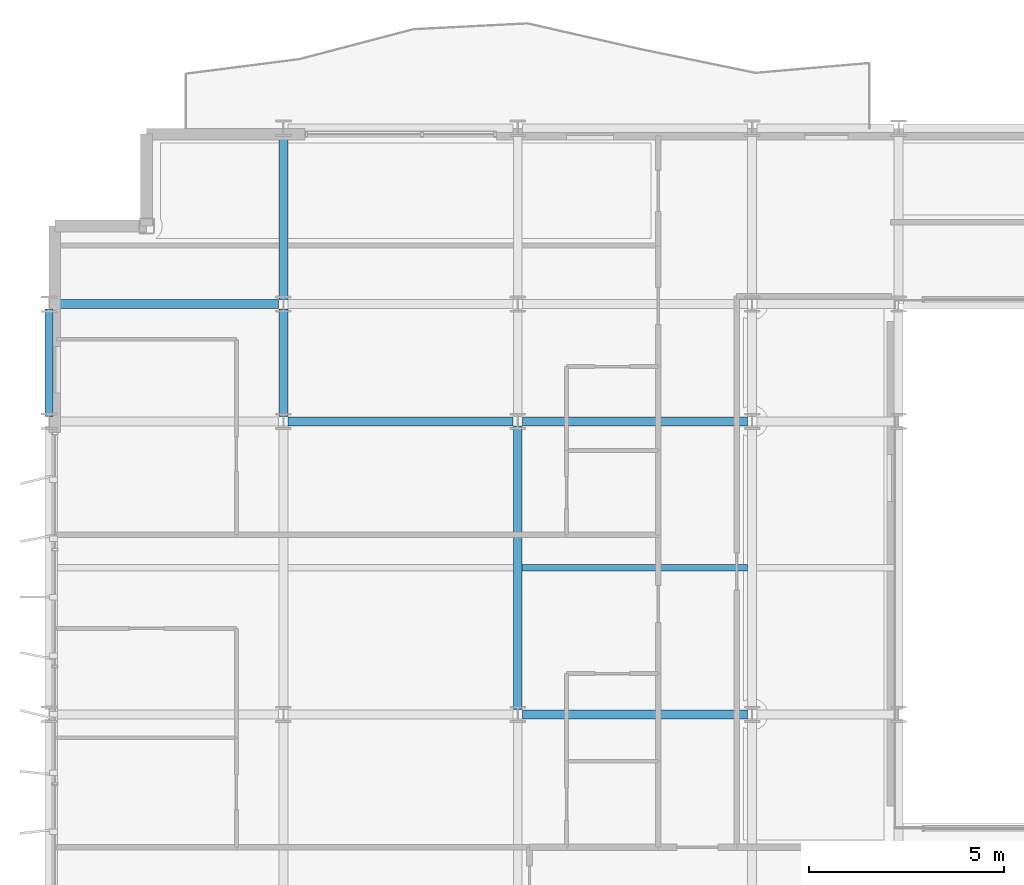
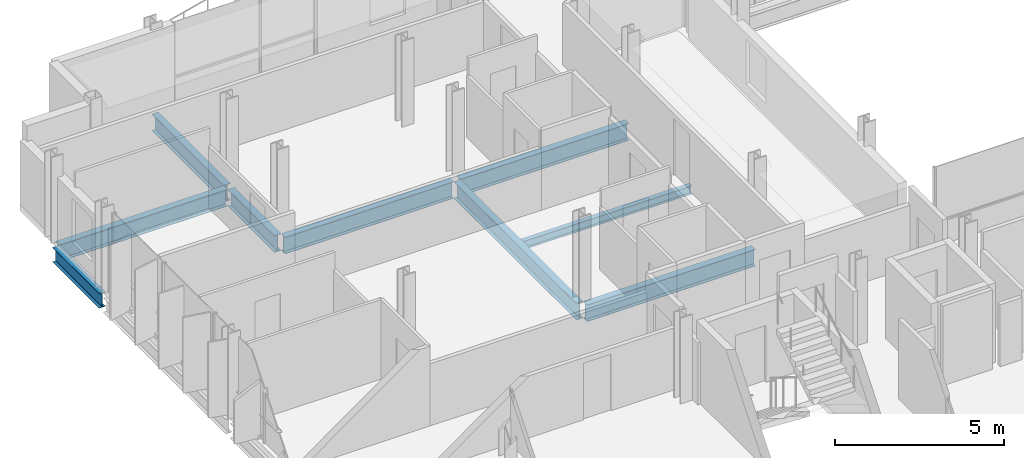
# One storey, part 8 of 38: 9 beams.
"""IFC4 building model written with IfcOpenShell, lengths in metres."""

from ifc_helpers import new_model, si_unit, direction, frame, origin, origin_2d, place, context, subcontext, project, spatial, i_section, extrude, material, material_profile, profile_set, type_object, element, save


model = new_model("IFC4")

# Units and contexts
model_context = context("Model", 3, precision=1e-05, world=origin(), true_north=direction((0.0, 1.0)))
body_context = subcontext(model_context, "Body", "Model", "MODEL_VIEW")
ifc_project = project(units=[si_unit("LENGTHUNIT", "METRE"), si_unit("AREAUNIT", "SQUARE_METRE"), si_unit("VOLUMEUNIT", "CUBIC_METRE"), si_unit("PLANEANGLEUNIT", "RADIAN"), si_unit("MASSUNIT", "GRAM", prefix="KILO")], contexts=[model_context])

# Site, building, storey
site_placement = place(None, origin())
site = spatial("IfcSite", under=ifc_project, at=site_placement, CompositionType="ELEMENT")
building_placement = place(site_placement, origin())
building = spatial("IfcBuilding", under=site, at=building_placement, Name="Brevholm Reach", CompositionType="ELEMENT")
storey_placement = place(building_placement, frame((0.0, 0.0, 166.60009765625)))
storey = spatial("IfcBuildingStorey", under=building, at=storey_placement, Name="L50", CompositionType="ELEMENT", Elevation=166.60009765625)

# Beams
ifc_material_1 = material(Name="Structural Steel S355J2", Category="steel")
ifc_material_profile_1 = material_profile(ifc_material_1, i_section(OverallWidth=0.1650390625, OverallDepth=0.303466796875, WebThickness=0.006103515625, FlangeThickness=0.01025390625, FilletRadius=0.0087890625, at=origin_2d()), Name="UKB 305x165x40")
ifc_profile_set_1 = profile_set([ifc_material_profile_1], Name="Structural Steel S355J2")
beam_type_1 = type_object("IfcBeamType", Name="BM-B305", PredefinedType="BEAM", material=ifc_profile_set_1)
beam_1_placement = place(storey_placement, frame((12.114501953125, 19.75, -0.371826171875), z_axis=(1.0, 0.0, 0.0), x_axis=(0.0, 1.0, 0.0)))
element("IfcBeam", 1, at=beam_1_placement, inside=storey, type_object=beam_type_1, Name="L50 Composite Secondary Floor Beam", PredefinedType="BEAM", context=body_context, shape_type="SweptSolid", body=[
    extrude(i_section(OverallWidth=0.1650390625, OverallDepth=0.303466796875, WebThickness=0.006103515625, FlangeThickness=0.01025390625, FilletRadius=0.0087890625, at=origin_2d()), origin(), (0.0, 0.0, 1.0), 5.77099609375),
])
ifc_material_2 = material(Name="Structural Steel S355J2", Category="steel")
ifc_material_profile_2 = material_profile(ifc_material_2, i_section(OverallWidth=0.209228515625, OverallDepth=0.533203125, WebThickness=0.010009765625, FlangeThickness=0.015625, FilletRadius=0.0126953125, at=origin_2d()), Name="UKB 533x210x92")
ifc_profile_set_2 = profile_set([ifc_material_profile_2], Name="Structural Steel S355J2")
beam_type_2 = type_object("IfcBeamType", Name="BM-SP533", PredefinedType="SPANDREL", material=ifc_profile_set_2)
beam_2_placement = place(storey_placement, frame((0.0, 23.6201171875, -0.486572265625), z_axis=(0.0, 1.0, 0.0), x_axis=(-1.0, 0.0, 0.0)))
element("IfcBeam", 2, at=beam_2_placement, inside=storey, type_object=beam_type_2, Name="L50 SP-02 Framing Beam", PredefinedType="SPANDREL", context=body_context, shape_type="SweptSolid", body=[
    extrude(i_section(OverallWidth=0.209228515625, OverallDepth=0.533203125, WebThickness=0.010009765625, FlangeThickness=0.015625, FilletRadius=0.0126953125, at=origin_2d()), origin(), (0.0, 0.0, 1.0), 2.759765625),
])
ifc_material_3 = material(Name="Structural Steel S355J2", Category="steel")
ifc_material_profile_3 = material_profile(ifc_material_3, i_section(OverallWidth=0.22900390625, OverallDepth=0.6123046875, WebThickness=0.011962890625, FlangeThickness=0.01953125, FilletRadius=0.0126953125, at=origin_2d()), Name="UKB 610x229x125")
ifc_profile_set_3 = profile_set([ifc_material_profile_3], Name="Structural Steel S355J2")
beam_type_3 = type_object("IfcBeamType", Name="BM-SP610", PredefinedType="SPANDREL", material=ifc_profile_set_3)
for number, where, z_axis, x_axis, name in (
    (3, (12.1201171875, 16.0, -0.526123046875), (1.0, 0.0, 0.0), (0.0, 1.0, 0.0), "L50 SP-01 Framing Beam"),
    (4, (6.1201171875, 23.5, -0.526123046875), (1.0, 0.0, 0.0), (0.0, 1.0, 0.0), "L50 SP-01 Framing Beam"),
    (5, (12.1201171875, 23.5, -0.526123046875), (1.0, 0.0, 0.0), (0.0, 1.0, 0.0), "L50 SP-01 Framing Beam"),
    (6, (0.1201171875, 26.5, -0.526123046875), (1.0, 0.0, 0.0), (0.0, 1.0, 0.0), "L50 SP-01 Framing Beam"),
):
    element("IfcBeam", number, at=place(storey_placement, frame(where, z_axis=z_axis, x_axis=x_axis)), inside=storey, type_object=beam_type_3, Name=name, PredefinedType="SPANDREL", context=body_context, shape_type="SweptSolid", body=[
        extrude(i_section(OverallWidth=0.22900390625, OverallDepth=0.6123046875, WebThickness=0.011962890625, FlangeThickness=0.01953125, FilletRadius=0.0126953125, at=origin_2d()), origin(), (0.0, 0.0, 1.0), 5.759765625),
    ])
beam_3_placement = place(storey_placement, frame((6.0, 23.6201171875, -0.526123046875), z_axis=(0.0, 1.0, 0.0), x_axis=(-1.0, 0.0, 0.0)))
element("IfcBeam", 7, at=beam_3_placement, inside=storey, type_object=beam_type_3, Name="L50 SP-01 Framing Beam", PredefinedType="SPANDREL", context=body_context, shape_type="SweptSolid", body=[
    extrude(i_section(OverallWidth=0.22900390625, OverallDepth=0.6123046875, WebThickness=0.011962890625, FlangeThickness=0.01953125, FilletRadius=0.0126953125, at=origin_2d()), origin(), (0.0, 0.0, 1.0), 2.759765625),
])
beam_4_placement = place(storey_placement, frame((6.0, 26.6201171875, -0.526123046875), z_axis=(0.0, 1.0, 0.0), x_axis=(-1.0, 0.0, 0.0)))
element("IfcBeam", 8, at=beam_4_placement, inside=storey, type_object=beam_type_3, Name="L50 SP-01 Framing Beam", PredefinedType="SPANDREL", context=body_context, shape_type="SweptSolid", body=[
    extrude(i_section(OverallWidth=0.22900390625, OverallDepth=0.6123046875, WebThickness=0.011962890625, FlangeThickness=0.01953125, FilletRadius=0.0126953125, at=origin_2d()), origin(), (0.0, 0.0, 1.0), 4.259765625),
])
beam_5_placement = place(storey_placement, frame((12.0, 16.1201171875, -0.526123046875), z_axis=(0.0, 1.0, 0.0), x_axis=(-1.0, 0.0, 0.0)))
element("IfcBeam", 9, at=beam_5_placement, inside=storey, type_object=beam_type_3, Name="L50 SP-01 Framing Beam", PredefinedType="SPANDREL", context=body_context, shape_type="SweptSolid", body=[
    extrude(i_section(OverallWidth=0.22900390625, OverallDepth=0.6123046875, WebThickness=0.011962890625, FlangeThickness=0.01953125, FilletRadius=0.0126953125, at=origin_2d()), origin(), (0.0, 0.0, 1.0), 7.259765625),
])

save(model, "model.ifc")
